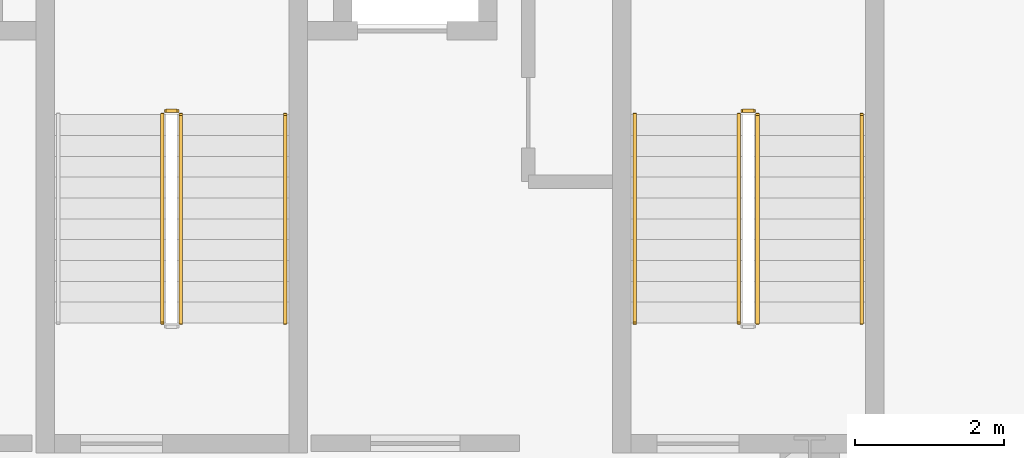
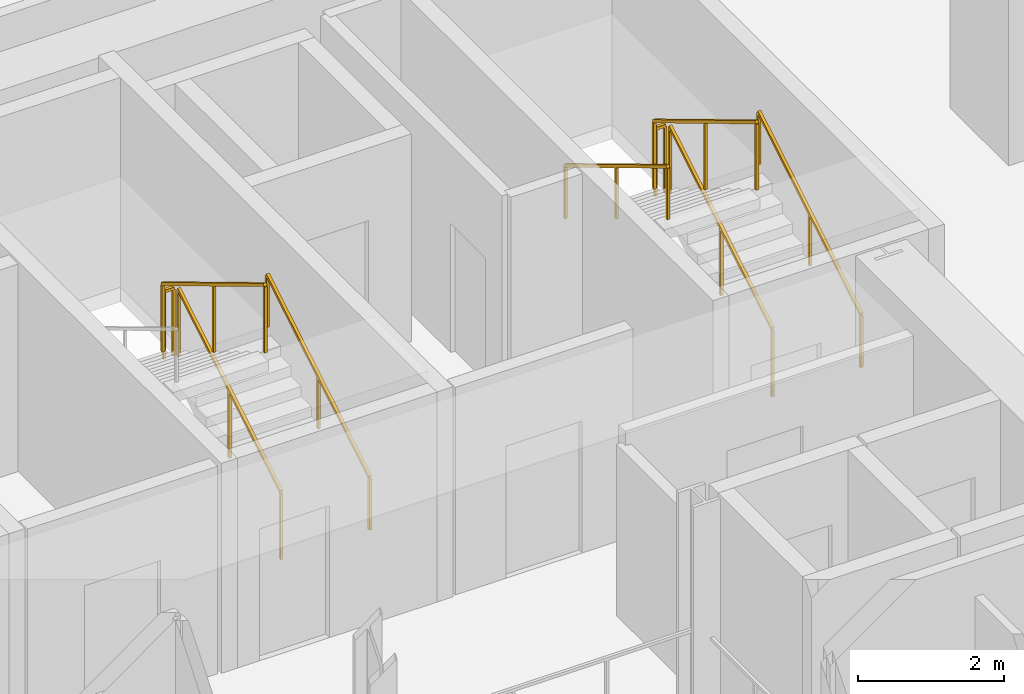
# One storey, part 14 of 14: 9 railings.
"""IFC4 building model written with IfcOpenShell, lengths in metres."""

from ifc_helpers import new_model, si_unit, direction, frame, origin, origin_2d, place, context, subcontext, project, spatial, rectangle, extrude, source, transform, mapped, material, type_object, element, save


model = new_model("IFC4")

# Units and contexts
model_context = context("Model", 3, precision=1e-05, world=origin(), true_north=direction((0.0, 1.0)))
body_context = subcontext(model_context, "Body", "Model", "MODEL_VIEW")
ifc_project = project(units=[si_unit("LENGTHUNIT", "METRE"), si_unit("AREAUNIT", "SQUARE_METRE"), si_unit("VOLUMEUNIT", "CUBIC_METRE"), si_unit("PLANEANGLEUNIT", "RADIAN"), si_unit("MASSUNIT", "GRAM", prefix="KILO")], contexts=[model_context])

# Site, building, storey
site_placement = place(None, origin())
site = spatial("IfcSite", under=ifc_project, at=site_placement, CompositionType="ELEMENT")
building_placement = place(site_placement, origin())
building = spatial("IfcBuilding", under=site, at=building_placement, Name="Vardaveli Station Tower", CompositionType="ELEMENT")
storey_placement = place(building_placement, frame((0.0, 0.0, 144.60009765625)))
storey = spatial("IfcBuildingStorey", under=building, at=storey_placement, Name="L37", CompositionType="ELEMENT", Elevation=144.60009765625)

# Railings
ifc_material = material(Name="Brushed AISI 316 stainless steel", Category="steel")
railing_type_1 = type_object("IfcRailingType", Name="RL-GUARD-1150", PredefinedType="GUARDRAIL", material=ifc_material)
shared_shape_1 = source(origin(), body_context, "Body", "SweptSolid", [
    extrude(rectangle(XDim=0.048095703125, YDim=0.048095703125, at=origin_2d()), frame((0.0, 0.0, 1.1259765625), z_axis=(-1.0, 0.0, 0.0), x_axis=(0.0, -1.0, 0.0)), (0.0, 0.0, 1.0), 0.14990234375),
    extrude(rectangle(XDim=0.0419921875, YDim=0.0419921875, at=origin_2d()), origin(), (0.0, 0.0, 1.0), 1.101806640625),
    extrude(rectangle(XDim=0.0419921875, YDim=0.0419921875, at=origin_2d()), frame((-0.14990234375, 0.0, 0.0)), (0.0, 0.0, 1.0), 1.101806640625),
])
for number, where, name in (
    (1, (38.0, 35.25, 1.849853515625), "L37 ST-2 stair guard 2"),
    (2, (45.75, 35.25, 1.849853515625), "L37 ST-3 stair guard 2"),
):
    element("IfcRailing", number, at=place(storey_placement, frame(where)), inside=storey, type_object=railing_type_1, Name=name, PredefinedType="GUARDRAIL", context=body_context, shape_type="MappedRepresentation", body=[
        mapped(shared_shape_1, transform((0.0, 0.0, 0.0), scale=1.0)),
    ])
shared_shape_2 = source(origin(), body_context, "Body", "SweptSolid", [
    extrude(rectangle(XDim=0.048095703125, YDim=0.048095703125, at=origin_2d()), frame((0.0, 0.0, 1.1259765625), z_axis=(0.0, -0.857242210791, 0.514913383045), x_axis=(1.0, 0.0, 0.0)), (0.0, 0.0, 1.0), 3.266357421875),
    extrude(rectangle(XDim=0.0419921875, YDim=0.0419921875, at=origin_2d()), origin(), (0.0, 0.0, 1.0), 1.101806640625),
    extrude(rectangle(XDim=0.0419921875, YDim=0.0419921875, at=origin_2d()), frame((0.0, -1.39990234375, 0.8408203125)), (0.0, 0.0, 1.0), 1.101806640625),
    extrude(rectangle(XDim=0.0419921875, YDim=0.0419921875, at=origin_2d()), frame((0.0, -2.800048828125, 1.681884765625)), (0.0, 0.0, 1.0), 1.101806640625),
])
for number, where, name in (
    (3, (37.800048828125, 35.199951171875, 2.01806640625), "L37 ST-2 stair guard 3"),
    (4, (45.550048828125, 35.199951171875, 2.01806640625), "L37 ST-3 stair guard 3"),
):
    element("IfcRailing", number, at=place(storey_placement, frame(where)), inside=storey, type_object=railing_type_1, Name=name, PredefinedType="GUARDRAIL", context=body_context, shape_type="MappedRepresentation", body=[
        mapped(shared_shape_2, transform((0.0, 0.0, 0.0), scale=1.0)),
    ])
railing_type_2 = type_object("IfcRailingType", Name="RL-HAND-900", PredefinedType="HANDRAIL", material=ifc_material)
shared_shape_3 = source(origin(), body_context, "Body", "SweptSolid", [
    extrude(rectangle(XDim=0.048095703125, YDim=0.048095703125, at=origin_2d()), frame((0.0, 0.0, 0.8759765625), z_axis=(0.0, -0.857242210791, 0.514913383045), x_axis=(1.0, 0.0, 0.0)), (0.0, 0.0, 1.0), 3.266357421875),
    extrude(rectangle(XDim=0.0419921875, YDim=0.0419921875, at=origin_2d()), origin(), (0.0, 0.0, 1.0), 0.851806640625),
    extrude(rectangle(XDim=0.0419921875, YDim=0.0419921875, at=origin_2d()), frame((0.0, -1.39990234375, 0.8408203125)), (0.0, 0.0, 1.0), 0.851806640625),
    extrude(rectangle(XDim=0.0419921875, YDim=0.0419921875, at=origin_2d()), frame((0.0, -2.800048828125, 1.681884765625)), (0.0, 0.0, 1.0), 0.851806640625),
])
railing_placement = place(storey_placement, frame((44.14990234375, 35.199951171875, 2.01806640625)))
element("IfcRailing", 5, at=railing_placement, inside=storey, type_object=railing_type_2, Name="L37 ST-3 stair handrail 2", PredefinedType="HANDRAIL", context=body_context, shape_type="MappedRepresentation", body=[
    mapped(shared_shape_3, transform((0.0, 0.0, 0.0), scale=1.0)),
])
shared_shape_4 = source(origin(), body_context, "Body", "SweptSolid", [
    extrude(rectangle(XDim=0.048095703125, YDim=0.048095703125, at=origin_2d()), frame((0.0, 0.0, 1.1259765625), z_axis=(0.0, 0.857242210791, 0.514913383045), x_axis=(-1.0, 0.0, 0.0)), (0.0, 0.0, 1.0), 3.266357421875),
    extrude(rectangle(XDim=0.0419921875, YDim=0.0419921875, at=origin_2d()), origin(), (0.0, 0.0, 1.0), 1.101806640625),
    extrude(rectangle(XDim=0.0419921875, YDim=0.0419921875, at=origin_2d()), frame((0.0, 1.39990234375, 0.8408203125)), (0.0, 0.0, 1.0), 1.101806640625),
    extrude(rectangle(XDim=0.0419921875, YDim=0.0419921875, at=origin_2d()), frame((0.0, 2.800048828125, 1.681884765625)), (0.0, 0.0, 1.0), 1.101806640625),
])
for number, where, name in (
    (6, (38.050048828125, 32.39990234375, 0.16796875), "L37 ST-2 stair guard 1"),
    (7, (45.800048828125, 32.39990234375, 0.16796875), "L37 ST-3 stair guard 1"),
):
    element("IfcRailing", number, at=place(storey_placement, frame(where)), inside=storey, type_object=railing_type_1, Name=name, PredefinedType="GUARDRAIL", context=body_context, shape_type="MappedRepresentation", body=[
        mapped(shared_shape_4, transform((0.0, 0.0, 0.0), scale=1.0)),
    ])
shared_shape_5 = source(origin(), body_context, "Body", "SweptSolid", [
    extrude(rectangle(XDim=0.048095703125, YDim=0.048095703125, at=origin_2d()), frame((0.0, 0.0, 0.8759765625), z_axis=(0.0, 0.857242210791, 0.514913383045), x_axis=(-1.0, 0.0, 0.0)), (0.0, 0.0, 1.0), 3.266357421875),
    extrude(rectangle(XDim=0.0419921875, YDim=0.0419921875, at=origin_2d()), origin(), (0.0, 0.0, 1.0), 0.851806640625),
    extrude(rectangle(XDim=0.0419921875, YDim=0.0419921875, at=origin_2d()), frame((0.0, 1.39990234375, 0.8408203125)), (0.0, 0.0, 1.0), 0.851806640625),
    extrude(rectangle(XDim=0.0419921875, YDim=0.0419921875, at=origin_2d()), frame((0.0, 2.800048828125, 1.681884765625)), (0.0, 0.0, 1.0), 0.851806640625),
])
for number, where, name in (
    (8, (39.449951171875, 32.39990234375, 0.16796875), "L37 ST-2 stair handrail 1"),
    (9, (47.199951171875, 32.39990234375, 0.16796875), "L37 ST-3 stair handrail 1"),
):
    element("IfcRailing", number, at=place(storey_placement, frame(where)), inside=storey, type_object=railing_type_2, Name=name, PredefinedType="HANDRAIL", context=body_context, shape_type="MappedRepresentation", body=[
        mapped(shared_shape_5, transform((0.0, 0.0, 0.0), scale=1.0)),
    ])

save(model, "model.ifc")
